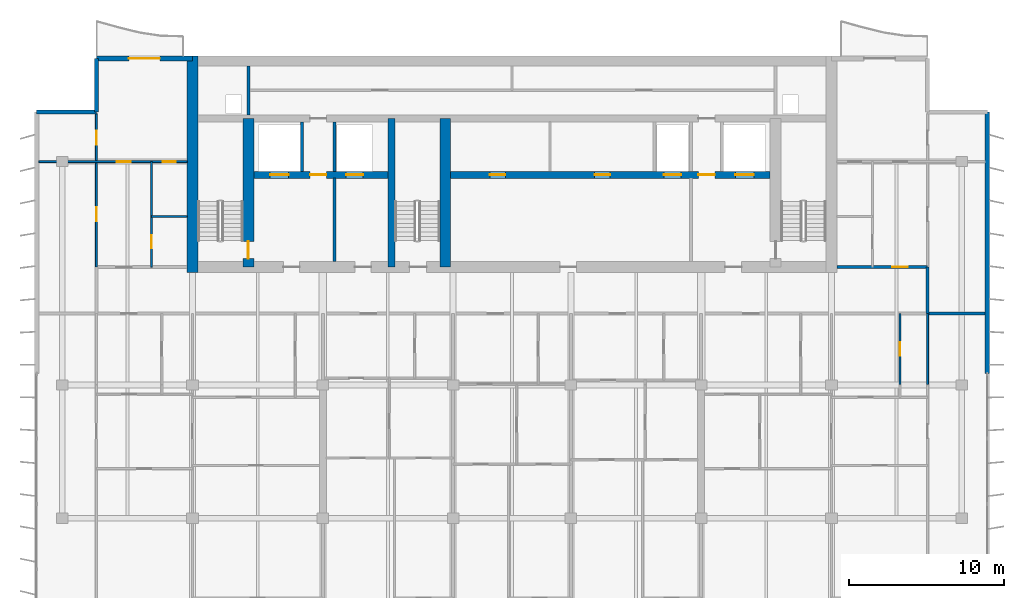
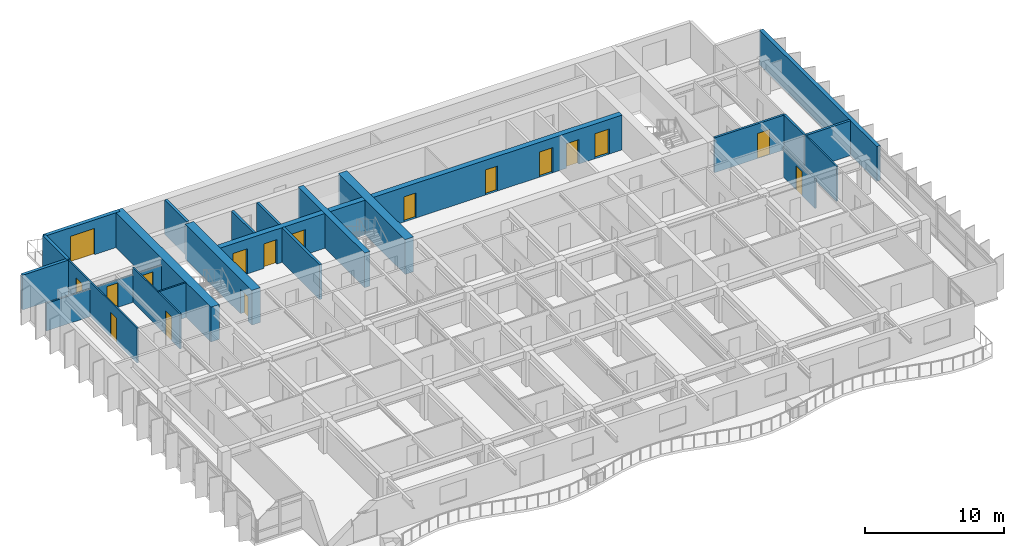
# One storey, part 9 of 16: 22 walls, 17 doors, 17 openings.
"""IFC4 building model written with IfcOpenShell, lengths in metres."""

from ifc_helpers import new_model, si_unit, direction, frame, frame_2d, origin, place, context, subcontext, project, spatial, rectangle, extrude, material, layer, layer_set, type_object, element, fill, save


model = new_model("IFC4")

# Units and contexts
model_context = context("Model", 3, precision=1e-05, world=origin(), true_north=direction((0.0, 1.0)))
body_context = subcontext(model_context, "Body", "Model", "MODEL_VIEW")
ifc_project = project(units=[si_unit("LENGTHUNIT", "METRE"), si_unit("AREAUNIT", "SQUARE_METRE"), si_unit("VOLUMEUNIT", "CUBIC_METRE"), si_unit("PLANEANGLEUNIT", "RADIAN"), si_unit("MASSUNIT", "GRAM", prefix="KILO")], contexts=[model_context])

# Site, building, storey
site_placement = place(None, origin())
site = spatial("IfcSite", under=ifc_project, at=site_placement, CompositionType="ELEMENT")
building_placement = place(site_placement, origin())
building = spatial("IfcBuilding", under=site, at=building_placement, Name="Caelmar Bay Residences", CompositionType="ELEMENT")
storey_placement = place(building_placement, frame((0.0, 0.0, 239.699951171875)))
storey = spatial("IfcBuildingStorey", under=building, at=storey_placement, Name="L67", CompositionType="ELEMENT", Elevation=239.699951171875)

# Wall
ifc_material_1 = material(Name="Concrete f'c 55 MPa (8,000 psi)", Category="concrete")
ifc_layer_1 = layer(ifc_material_1, 0.699951171875)
ifc_layer_set_1 = layer_set([ifc_layer_1], Name="Concrete f'c 55 MPa (8,000 psi)")
wall_type_1 = type_object("IfcWallType", Name="SW-COR-700", PredefinedType="SHEAR", material=ifc_layer_set_1)
wall_1_placement = place(storey_placement, frame((18.300048828125, 36.64990234375, 0.0), z_axis=(0.0, 0.0, 1.0), x_axis=(0.0, 1.0, 0.0)))
element("IfcWall", 1, at=wall_1_placement, inside=storey, type_object=wall_type_1, Name="L67 Rear Core West Shear Wall", PredefinedType="SHEAR", context=body_context, shape_type="SweptSolid", body=[
    extrude(rectangle(XDim=13.9501953125, YDim=0.699951171875, at=frame_2d((6.97509765625, 0.0))), origin(), (0.0, 0.0, 1.0), 3.050048828125),
])

# Wall, opening, door
wall_2_placement = place(storey_placement, frame((21.89990234375, 37.0, 0.0), z_axis=(0.0, 0.0, 1.0), x_axis=(0.0, 1.0, 0.0)))
wall_2 = element("IfcWall", 2, at=wall_2_placement, inside=storey, type_object=wall_type_1, Name="L67 Core Structural Web Wall ST1E", PredefinedType="SHEAR", context=body_context, shape_type="SweptSolid", body=[
    extrude(rectangle(XDim=9.574951171875, YDim=0.699951171875, at=frame_2d((4.78759765625, 0.0))), origin(), (0.0, 0.0, 1.0), 3.050048828125),
])
opening_1_placement = place(wall_2_placement, frame((0.550048828125, 0.0, 0.0)))
opening_1 = element("IfcOpeningElement", 3, at=opening_1_placement, cuts=wall_2, Name="Opening D-L67-107", PredefinedType="OPENING", context=body_context, shape_type="SweptSolid", body=[
    extrude(rectangle(XDim=1.10009765625, YDim=2.14990234375, at=frame_2d((0.550048828125, 1.074951171875))), frame((0.0, 0.35986328125, 0.0), z_axis=(0.0, -1.0, 0.0), x_axis=(1.0, 0.0, 0.0)), (0.0, 0.0, 1.0), 0.719970703125),
])
ifc_material_2 = material(Name="Fire-rated steel and walnut architectural door assembly", Category="steel")
ifc_layer_2 = layer(ifc_material_2, 0.050048828125)
ifc_layer_set_2 = layer_set([ifc_layer_2], Name="Fire-rated steel and walnut architectural door assembly")
door_type_1 = type_object("IfcDoorType", Name="D-STAIR-1100", OperationType="NOTDEFINED", PredefinedType="DOOR", material=ifc_layer_set_2)
door_1_placement = place(opening_1_placement, origin())
door_1 = element("IfcDoor", 4, at=door_1_placement, inside=storey, type_object=door_type_1, Name="L67 Firefighting Lobby West Door", OperationType="SINGLE_SWING_RIGHT", OverallHeight=2.14990234375, OverallWidth=1.10009765625, PredefinedType="DOOR", context=body_context, shape_type="SweptSolid", body=[
    extrude(rectangle(XDim=1.10009765625, YDim=2.14990234375, at=frame_2d((0.550048828125, 1.074951171875))), frame((0.0, 0.02490234375, 0.0), z_axis=(0.0, -1.0, 0.0), x_axis=(1.0, 0.0, 0.0)), (0.0, 0.0, 1.0), 0.050048828125),
])
fill(opening_1, door_1)

# Walls
wall_3_placement = place(storey_placement, frame((34.60009765625, 37.0, 0.0), z_axis=(0.0, 0.0, 1.0), x_axis=(0.0, 1.0, 0.0)))
element("IfcWall", 5, at=wall_3_placement, inside=storey, type_object=wall_type_1, Name="L67 Core Structural Web Wall ST3E", PredefinedType="SHEAR", context=body_context, shape_type="SweptSolid", body=[
    extrude(rectangle(XDim=9.574951171875, YDim=0.699951171875, at=frame_2d((4.78759765625, 0.0))), origin(), (0.0, 0.0, 1.0), 3.050048828125),
])
ifc_material_3 = material(Name="Concrete f'c 70 MPa (10,000 psi)", Category="concrete")
ifc_layer_3 = layer(ifc_material_3, 0.449951171875)
ifc_layer_set_3 = layer_set([ifc_layer_3], Name="Concrete f'c 70 MPa (10,000 psi)")
wall_type_2 = type_object("IfcWallType", Name="SW-WEB-450", PredefinedType="SHEAR", material=ifc_layer_set_3)
wall_4_placement = place(storey_placement, frame((31.125, 37.0, 0.0), z_axis=(0.0, 0.0, 1.0), x_axis=(0.0, 1.0, 0.0)))
element("IfcWall", 6, at=wall_4_placement, inside=storey, type_object=wall_type_2, Name="L67 Core Structural Web Wall ST3W", PredefinedType="SHEAR", context=body_context, shape_type="SweptSolid", body=[
    extrude(rectangle(XDim=9.574951171875, YDim=0.449951171875, at=frame_2d((4.78759765625, 0.0))), origin(), (0.0, 0.0, 1.0), 3.050048828125),
])

# Wall, openings, doors
wall_5_placement = place(storey_placement, frame((22.25, 42.949951171875, 0.0), z_axis=(0.0, 0.0, 1.0), x_axis=(1.0, 0.0, 0.0)))
wall_5 = element("IfcWall", 7, at=wall_5_placement, inside=storey, type_object=wall_type_2, Name="L67 Core Structural Web Wall LFR", PredefinedType="SHEAR", context=body_context, shape_type="SweptSolid", body=[
    extrude(rectangle(XDim=33.300048828125, YDim=0.449951171875, at=frame_2d((16.64990234375, 0.0))), origin(), (0.0, 0.0, 1.0), 3.050048828125),
])
opening_2_placement = place(wall_5_placement, frame((1.050048828125, 0.0, 0.0)))
opening_2 = element("IfcOpeningElement", 8, at=opening_2_placement, cuts=wall_5, Name="Opening LD2", PredefinedType="OPENING", context=body_context, shape_type="SweptSolid", body=[
    extrude(rectangle(XDim=1.199951171875, YDim=2.199951171875, at=frame_2d((0.60009765625, 1.10009765625))), frame((0.0, 0.23486328125, 0.0), z_axis=(0.0, -1.0, 0.0), x_axis=(1.0, 0.0, 0.0)), (0.0, 0.0, 1.0), 0.469970703125),
])
opening_3_placement = place(wall_5_placement, frame((31.050048828125, 0.0, 0.0)))
opening_3 = element("IfcOpeningElement", 9, at=opening_3_placement, cuts=wall_5, Name="Opening LD2", PredefinedType="OPENING", context=body_context, shape_type="SweptSolid", body=[
    extrude(rectangle(XDim=1.199951171875, YDim=2.199951171875, at=frame_2d((0.60009765625, 1.10009765625))), frame((0.0, 0.23486328125, 0.0), z_axis=(0.0, -1.0, 0.0), x_axis=(1.0, 0.0, 0.0)), (0.0, 0.0, 1.0), 0.469970703125),
])
opening_4_placement = place(wall_5_placement, frame((26.449951171875, 0.0, 0.0)))
opening_4 = element("IfcOpeningElement", 10, at=opening_4_placement, cuts=wall_5, Name="Opening LD1", PredefinedType="OPENING", context=body_context, shape_type="SweptSolid", body=[
    extrude(rectangle(XDim=1.10009765625, YDim=2.199951171875, at=frame_2d((0.550048828125, 1.10009765625))), frame((0.0, 0.23486328125, 0.0), z_axis=(0.0, -1.0, 0.0), x_axis=(1.0, 0.0, 0.0)), (0.0, 0.0, 1.0), 0.469970703125),
])
opening_5_placement = place(wall_5_placement, frame((5.949951171875, 0.0, 0.0)))
opening_5 = element("IfcOpeningElement", 11, at=opening_5_placement, cuts=wall_5, Name="Opening LD1", PredefinedType="OPENING", context=body_context, shape_type="SweptSolid", body=[
    extrude(rectangle(XDim=1.10009765625, YDim=2.199951171875, at=frame_2d((0.550048828125, 1.10009765625))), frame((0.0, 0.23486328125, 0.0), z_axis=(0.0, -1.0, 0.0), x_axis=(1.0, 0.0, 0.0)), (0.0, 0.0, 1.0), 0.469970703125),
])
opening_6_placement = place(wall_5_placement, frame((3.625, 0.0, 0.0)))
opening_6 = element("IfcOpeningElement", 12, at=opening_6_placement, cuts=wall_5, Name="Opening D-L67-108", PredefinedType="OPENING", context=body_context, shape_type="SweptSolid", body=[
    extrude(rectangle(XDim=1.050048828125, YDim=2.14990234375, at=frame_2d((0.52490234375, 1.074951171875))), frame((0.0, 0.23486328125, 0.0), z_axis=(0.0, -1.0, 0.0), x_axis=(1.0, 0.0, 0.0)), (0.0, 0.0, 1.0), 0.469970703125),
])
opening_7_placement = place(wall_5_placement, frame((28.675048828125, 0.0, 0.0)))
opening_7 = element("IfcOpeningElement", 13, at=opening_7_placement, cuts=wall_5, Name="Opening D-L67-111", PredefinedType="OPENING", context=body_context, shape_type="SweptSolid", body=[
    extrude(rectangle(XDim=1.050048828125, YDim=2.14990234375, at=frame_2d((0.52490234375, 1.074951171875))), frame((0.0, 0.23486328125, 0.0), z_axis=(0.0, -1.0, 0.0), x_axis=(1.0, 0.0, 0.0)), (0.0, 0.0, 1.0), 0.469970703125),
])
opening_8_placement = place(wall_5_placement, frame((15.22509765625, 0.0, 0.0)))
opening_8 = element("IfcOpeningElement", 14, at=opening_8_placement, cuts=wall_5, Name="Opening D-L67-114", PredefinedType="OPENING", context=body_context, shape_type="SweptSolid", body=[
    extrude(rectangle(XDim=1.0, YDim=2.199951171875, at=frame_2d((0.5, 1.10009765625))), frame((0.0, 0.23486328125, 0.0), z_axis=(0.0, -1.0, 0.0), x_axis=(1.0, 0.0, 0.0)), (0.0, 0.0, 1.0), 0.469970703125),
])
opening_9_placement = place(wall_5_placement, frame((21.97509765625, 0.0, 0.0)))
opening_9 = element("IfcOpeningElement", 15, at=opening_9_placement, cuts=wall_5, Name="Opening D-L67-115", PredefinedType="OPENING", context=body_context, shape_type="SweptSolid", body=[
    extrude(rectangle(XDim=1.0, YDim=2.199951171875, at=frame_2d((0.5, 1.10009765625))), frame((0.0, 0.23486328125, 0.0), z_axis=(0.0, -1.0, 0.0), x_axis=(1.0, 0.0, 0.0)), (0.0, 0.0, 1.0), 0.469970703125),
])
ifc_layer_4 = layer(ifc_material_2, 0.050048828125)
ifc_layer_set_4 = layer_set([ifc_layer_4], Name="Fire-rated steel and walnut architectural door assembly")
door_type_2 = type_object("IfcDoorType", Name="D-FSAE-1050", OperationType="NOTDEFINED", PredefinedType="DOOR", material=ifc_layer_set_4)
door_2_placement = place(opening_6_placement, origin())
door_2 = element("IfcDoor", 16, at=door_2_placement, inside=storey, type_object=door_type_2, Name="L67 Firefighting Lobby West Door", OperationType="SINGLE_SWING_LEFT", OverallHeight=2.14990234375, OverallWidth=1.050048828125, PredefinedType="DOOR", context=body_context, shape_type="SweptSolid", body=[
    extrude(rectangle(XDim=1.050048828125, YDim=2.14990234375, at=frame_2d((0.52490234375, 1.074951171875))), frame((0.0, 0.02490234375, 0.0), z_axis=(0.0, -1.0, 0.0), x_axis=(1.0, 0.0, 0.0)), (0.0, 0.0, 1.0), 0.050048828125),
])
fill(opening_6, door_2)
door_3_placement = place(opening_7_placement, origin())
door_3 = element("IfcDoor", 17, at=door_3_placement, inside=storey, type_object=door_type_2, Name="L67 Firefighting Lobby East Door", OperationType="SINGLE_SWING_RIGHT", OverallHeight=2.14990234375, OverallWidth=1.050048828125, PredefinedType="DOOR", context=body_context, shape_type="SweptSolid", body=[
    extrude(rectangle(XDim=1.050048828125, YDim=2.14990234375, at=frame_2d((0.52490234375, 1.074951171875))), frame((0.0, 0.02490234375, 0.0), z_axis=(0.0, -1.0, 0.0), x_axis=(1.0, 0.0, 0.0)), (0.0, 0.0, 1.0), 0.050048828125),
])
fill(opening_7, door_3)
ifc_material_4 = material(Name="Brushed bronze stainless-steel fire-rated lift landing doors", Category="steel")
ifc_layer_5 = layer(ifc_material_4, 0.050048828125)
ifc_layer_set_5 = layer_set([ifc_layer_5], Name="Brushed bronze stainless-steel fire-rated lift landing doors")
door_type_3 = type_object("IfcDoorType", Name="D-LND-1100", OperationType="DOUBLE_DOOR_SLIDING", PredefinedType="DOOR", material=ifc_layer_set_5)
door_4_placement = place(opening_4_placement, origin())
door_4 = element("IfcDoor", 18, at=door_4_placement, inside=storey, type_object=door_type_3, Name="L67 LP6 Sliding Landing Door", OperationType="DOUBLE_DOOR_SLIDING", OverallHeight=2.199951171875, OverallWidth=1.10009765625, PredefinedType="DOOR", context=body_context, shape_type="SweptSolid", body=[
    extrude(rectangle(XDim=1.10009765625, YDim=2.199951171875, at=frame_2d((0.550048828125, 1.10009765625))), frame((0.0, 0.02490234375, 0.0), z_axis=(0.0, -1.0, 0.0), x_axis=(1.0, 0.0, 0.0)), (0.0, 0.0, 1.0), 0.050048828125),
])
fill(opening_4, door_4)
door_5_placement = place(opening_5_placement, origin())
door_5 = element("IfcDoor", 19, at=door_5_placement, inside=storey, type_object=door_type_3, Name="L67 LP7 Sliding Landing Door", OperationType="DOUBLE_DOOR_SLIDING", OverallHeight=2.199951171875, OverallWidth=1.10009765625, PredefinedType="DOOR", context=body_context, shape_type="SweptSolid", body=[
    extrude(rectangle(XDim=1.10009765625, YDim=2.199951171875, at=frame_2d((0.550048828125, 1.10009765625))), frame((0.0, 0.02490234375, 0.0), z_axis=(0.0, -1.0, 0.0), x_axis=(1.0, 0.0, 0.0)), (0.0, 0.0, 1.0), 0.050048828125),
])
fill(opening_5, door_5)
ifc_material_5 = material(Name="Brushed stainless-steel FSAE sliding landing door", Category="steel")
ifc_layer_6 = layer(ifc_material_5, 0.050048828125)
ifc_layer_set_6 = layer_set([ifc_layer_6], Name="Brushed stainless-steel FSAE sliding landing door")
door_type_4 = type_object("IfcDoorType", Name="D-LND-1200", OperationType="DOUBLE_DOOR_SLIDING", PredefinedType="DOOR", material=ifc_layer_set_6)
door_6_placement = place(opening_2_placement, origin())
door_6 = element("IfcDoor", 20, at=door_6_placement, inside=storey, type_object=door_type_4, Name="L67 LF1 Sliding Landing Door", OperationType="DOUBLE_DOOR_SLIDING", OverallHeight=2.199951171875, OverallWidth=1.199951171875, PredefinedType="DOOR", context=body_context, shape_type="SweptSolid", body=[
    extrude(rectangle(XDim=1.199951171875, YDim=2.199951171875, at=frame_2d((0.60009765625, 1.10009765625))), frame((0.0, 0.02490234375, 0.0), z_axis=(0.0, -1.0, 0.0), x_axis=(1.0, 0.0, 0.0)), (0.0, 0.0, 1.0), 0.050048828125),
])
fill(opening_2, door_6)
door_7_placement = place(opening_3_placement, origin())
door_7 = element("IfcDoor", 21, at=door_7_placement, inside=storey, type_object=door_type_4, Name="L67 LF2 Sliding Landing Door", OperationType="DOUBLE_DOOR_SLIDING", OverallHeight=2.199951171875, OverallWidth=1.199951171875, PredefinedType="DOOR", context=body_context, shape_type="SweptSolid", body=[
    extrude(rectangle(XDim=1.199951171875, YDim=2.199951171875, at=frame_2d((0.60009765625, 1.10009765625))), frame((0.0, 0.02490234375, 0.0), z_axis=(0.0, -1.0, 0.0), x_axis=(1.0, 0.0, 0.0)), (0.0, 0.0, 1.0), 0.050048828125),
])
fill(opening_3, door_7)
ifc_layer_7 = layer(ifc_material_2, 0.050048828125)
ifc_layer_set_7 = layer_set([ifc_layer_7], Name="Fire-rated steel and walnut architectural door assembly")
door_type_5 = type_object("IfcDoorType", Name="D-UNIT-1000", OperationType="NOTDEFINED", PredefinedType="DOOR", material=ifc_layer_set_7)
door_8_placement = place(opening_8_placement, origin())
door_8 = element("IfcDoor", 22, at=door_8_placement, inside=storey, type_object=door_type_5, Name="L67 Collector Study Door", OperationType="SINGLE_SWING_LEFT", OverallHeight=2.199951171875, OverallWidth=1.0, PredefinedType="DOOR", context=body_context, shape_type="SweptSolid", body=[
    extrude(rectangle(XDim=1.0, YDim=2.199951171875, at=frame_2d((0.5, 1.10009765625))), frame((0.0, 0.02490234375, 0.0), z_axis=(0.0, -1.0, 0.0), x_axis=(1.0, 0.0, 0.0)), (0.0, 0.0, 1.0), 0.050048828125),
])
fill(opening_8, door_8)
door_9_placement = place(opening_9_placement, origin())
door_9 = element("IfcDoor", 23, at=door_9_placement, inside=storey, type_object=door_type_5, Name="L67 Private Dining Room Door", OperationType="SINGLE_SWING_RIGHT", OverallHeight=2.199951171875, OverallWidth=1.0, PredefinedType="DOOR", context=body_context, shape_type="SweptSolid", body=[
    extrude(rectangle(XDim=1.0, YDim=2.199951171875, at=frame_2d((0.5, 1.10009765625))), frame((0.0, 0.02490234375, 0.0), z_axis=(0.0, -1.0, 0.0), x_axis=(1.0, 0.0, 0.0)), (0.0, 0.0, 1.0), 0.050048828125),
])
fill(opening_9, door_9)

# Wall
ifc_material_6 = material(Name="Double-stud acoustic fire-rated gypsum partition 180 mm")
ifc_layer_8 = layer(ifc_material_6, 0.179931640625)
ifc_layer_set_8 = layer_set([ifc_layer_8], Name="Double-stud acoustic fire-rated gypsum partition 180 mm")
wall_type_3 = type_object("IfcWallType", Name="W-COR-200", PredefinedType="PARTITIONING", material=ifc_layer_set_8)
wall_6_placement = place(storey_placement, frame((65.699951171875, 34.0048828125, 0.0), z_axis=(0.0, 0.0, 1.0), x_axis=(0.0, 1.0, 0.0)))
element("IfcWall", 24, at=wall_6_placement, inside=storey, type_object=wall_type_3, Name="L67 Partition Wall V061", PredefinedType="PARTITIONING", context=body_context, shape_type="SweptSolid", body=[
    extrude(rectangle(XDim=2.9951171875, YDim=0.179931640625, at=frame_2d((1.49755859375, 0.0))), origin(), (0.0, 0.0, 1.0), 3.050048828125),
])

# Wall, opening, door
wall_7_placement = place(storey_placement, frame((59.85498046875, 37.0, 0.0), z_axis=(0.0, 0.0, 1.0), x_axis=(1.0, 0.0, 0.0)))
wall_7 = element("IfcWall", 25, at=wall_7_placement, inside=storey, type_object=wall_type_3, Name="L67 Partition Wall H086", PredefinedType="PARTITIONING", context=body_context, shape_type="SweptSolid", body=[
    extrude(rectangle(XDim=5.844970703125, YDim=0.179931640625, at=frame_2d((2.92236328125, 0.0))), origin(), (0.0, 0.0, 1.0), 3.050048828125),
])
opening_10_placement = place(wall_7_placement, frame((3.570068359375, 0.0, 0.0)))
opening_10 = element("IfcOpeningElement", 26, at=opening_10_placement, cuts=wall_7, Name="Opening D-L67-168", PredefinedType="OPENING", context=body_context, shape_type="SweptSolid", body=[
    extrude(rectangle(XDim=1.0, YDim=2.199951171875, at=frame_2d((0.5, 1.10009765625))), frame((0.0, 0.099853515625, 0.0), z_axis=(0.0, -1.0, 0.0), x_axis=(1.0, 0.0, 0.0)), (0.0, 0.0, 1.0), 0.199951171875),
])
door_10_placement = place(opening_10_placement, origin())
door_10 = element("IfcDoor", 27, at=door_10_placement, inside=storey, type_object=door_type_5, Name="L67 Residence EA Kitchen Door", OperationType="SINGLE_SWING_LEFT", OverallHeight=2.199951171875, OverallWidth=1.0, PredefinedType="DOOR", context=body_context, shape_type="SweptSolid", body=[
    extrude(rectangle(XDim=1.0, YDim=2.199951171875, at=frame_2d((0.5, 1.10009765625))), frame((0.0, 0.02490234375, 0.0), z_axis=(0.0, -1.0, 0.0), x_axis=(1.0, 0.0, 0.0)), (0.0, 0.0, 1.0), 0.050048828125),
])
fill(opening_10, door_10)

# Walls
ifc_material_7 = material(Name="Precast concrete f'c 40 MPa (6,000 psi)", Category="concrete")
ifc_layer_9 = layer(ifc_material_7, 0.25)
ifc_layer_set_9 = layer_set([ifc_layer_9], Name="Precast concrete f'c 40 MPa (6,000 psi)")
wall_type_4 = type_object("IfcWallType", Name="W-EXT-250", PredefinedType="ELEMENTEDWALL", material=ifc_layer_set_9)
wall_8_placement = place(storey_placement, frame((8.25, 47.0, 0.0), z_axis=(0.0, 0.0, 1.0), x_axis=(1.0, 0.0, 0.0)))
element("IfcWall", 28, at=wall_8_placement, inside=storey, type_object=wall_type_4, Name="L67 NNW-H Notch Wall", PredefinedType="ELEMENTEDWALL", context=body_context, shape_type="SweptSolid", body=[
    extrude(rectangle(XDim=3.85009765625, YDim=0.25, at=frame_2d((1.925048828125, 0.0))), origin(), (0.0, 0.0, 1.0), 3.050048828125),
])
wall_9_placement = place(storey_placement, frame((12.10009765625, 47.0, 0.0), z_axis=(0.0, 0.0, 1.0), x_axis=(0.0, 1.0, 0.0)))
element("IfcWall", 29, at=wall_9_placement, inside=storey, type_object=wall_type_4, Name="L67 NNW-V Notch Wall", PredefinedType="ELEMENTEDWALL", context=body_context, shape_type="SweptSolid", body=[
    extrude(rectangle(XDim=3.449951171875, YDim=0.25, at=frame_2d((1.72509765625, 0.0))), origin(), (0.0, 0.0, 1.0), 3.050048828125),
])
ifc_layer_10 = layer(ifc_material_7, 0.300048828125)
ifc_layer_set_10 = layer_set([ifc_layer_10], Name="Precast concrete f'c 40 MPa (6,000 psi)")
wall_type_5 = type_object("IfcWallType", Name="W-EXT-300", PredefinedType="STANDARD", material=ifc_layer_set_10)
wall_10_placement = place(storey_placement, frame((69.550048828125, 47.0, 0.0), z_axis=(0.0, 0.0, 1.0), x_axis=(0.0, -1.0, 0.0)))
element("IfcWall", 30, at=wall_10_placement, inside=storey, type_object=wall_type_5, Name="L67 East Rear Exterior Wall", PredefinedType="STANDARD", context=body_context, shape_type="SweptSolid", body=[
    extrude(rectangle(XDim=16.85009765625, YDim=0.300048828125, at=frame_2d((8.425048828125, 0.0))), origin(), (0.0, 0.0, 1.0), 3.050048828125),
])

# Wall, opening, door
wall_11_placement = place(storey_placement, frame((12.10009765625, 50.449951171875, 0.0), z_axis=(0.0, 0.0, 1.0), x_axis=(1.0, 0.0, 0.0)))
wall_11 = element("IfcWall", 31, at=wall_11_placement, inside=storey, type_object=wall_type_5, Name="L67 North-West Wing Exterior Wall", PredefinedType="STANDARD", context=body_context, shape_type="SweptSolid", body=[
    extrude(rectangle(XDim=6.199951171875, YDim=0.300048828125, at=frame_2d((3.10009765625, 0.0))), origin(), (0.0, 0.0, 1.0), 3.050048828125),
])
opening_11_placement = place(wall_11_placement, frame((2.10009765625, 0.0, 0.0)))
opening_11 = element("IfcOpeningElement", 32, at=opening_11_placement, cuts=wall_11, Name="Opening L67-BDNW", PredefinedType="OPENING", context=body_context, shape_type="SweptSolid", body=[
    extrude(rectangle(XDim=2.0, YDim=2.300048828125, at=frame_2d((1.0, 1.14990234375))), frame((0.0, 0.159912109375, 0.0), z_axis=(0.0, -1.0, 0.0), x_axis=(1.0, 0.0, 0.0)), (0.0, 0.0, 1.0), 0.320068359375),
])
ifc_material_8 = material(Name="Anodised bronze thermally broken sliding glass door", Category="glass")
ifc_layer_11 = layer(ifc_material_8, 0.050048828125)
ifc_layer_set_11 = layer_set([ifc_layer_11], Name="Anodised bronze thermally broken sliding glass door")
door_type_6 = type_object("IfcDoorType", Name="D-BAL-2000", OperationType="DOUBLE_DOOR_SLIDING", PredefinedType="DOOR", material=ifc_layer_set_11)
door_11_placement = place(opening_11_placement, origin())
door_11 = element("IfcDoor", 33, at=door_11_placement, inside=storey, type_object=door_type_6, Name="L67 North-West Balcony Door", OperationType="DOUBLE_DOOR_SLIDING", OverallHeight=2.300048828125, OverallWidth=2.0, PredefinedType="DOOR", context=body_context, shape_type="SweptSolid", body=[
    extrude(rectangle(XDim=2.0, YDim=2.300048828125, at=frame_2d((1.0, 1.14990234375))), frame((0.0, 0.02490234375, 0.0), z_axis=(0.0, -1.0, 0.0), x_axis=(1.0, 0.0, 0.0)), (0.0, 0.0, 1.0), 0.050048828125),
])
fill(opening_11, door_11)

# Walls
ifc_material_9 = material(Name="Fire-rated masonry and gypsum shaftliner assembly 200 mm", Category="masonry")
ifc_layer_12 = layer(ifc_material_9, 0.199951171875)
ifc_layer_set_12 = layer_set([ifc_layer_12], Name="Fire-rated masonry and gypsum shaftliner assembly 200 mm")
wall_type_6 = type_object("IfcWallType", Name="W-FSAE-200", PredefinedType="PARTITIONING", material=ifc_layer_set_12)
wall_12_placement = place(storey_placement, frame((21.89990234375, 46.794921875, 0.0), z_axis=(0.0, 0.0, 1.0), x_axis=(0.0, 1.0, 0.0)))
element("IfcWall", 34, at=wall_12_placement, inside=storey, type_object=wall_type_6, Name="L67 Partition Wall V011", PredefinedType="PARTITIONING", context=body_context, shape_type="SweptSolid", body=[
    extrude(rectangle(XDim=3.16015625, YDim=0.199951171875, at=frame_2d((1.580078125, 0.0))), origin(), (0.0, 0.0, 1.0), 3.050048828125),
])
wall_13_placement = place(storey_placement, frame((25.35009765625, 43.169921875, 0.0), z_axis=(0.0, 0.0, 1.0), x_axis=(0.0, 1.0, 0.0)))
element("IfcWall", 35, at=wall_13_placement, inside=storey, type_object=wall_type_6, Name="L67 Partition Wall V014", PredefinedType="PARTITIONING", context=body_context, shape_type="SweptSolid", body=[
    extrude(rectangle(XDim=3.18505859375, YDim=0.199951171875, at=frame_2d((1.592529296875, 0.0))), origin(), (0.0, 0.0, 1.0), 3.050048828125),
])
wall_14_placement = place(storey_placement, frame((27.449951171875, 37.344970703125, 0.0), z_axis=(0.0, 0.0, 1.0), x_axis=(0.0, 1.0, 0.0)))
element("IfcWall", 36, at=wall_14_placement, inside=storey, type_object=wall_type_6, Name="L67 Partition Wall V018", PredefinedType="PARTITIONING", context=body_context, shape_type="SweptSolid", body=[
    extrude(rectangle(XDim=5.385009765625, YDim=0.199951171875, at=frame_2d((2.6923828125, 0.0))), origin(), (0.0, 0.0, 1.0), 3.050048828125),
])
wall_15_placement = place(storey_placement, frame((27.449951171875, 43.169921875, 0.0), z_axis=(0.0, 0.0, 1.0), x_axis=(0.0, 1.0, 0.0)))
element("IfcWall", 37, at=wall_15_placement, inside=storey, type_object=wall_type_6, Name="L67 Partition Wall V019", PredefinedType="PARTITIONING", context=body_context, shape_type="SweptSolid", body=[
    extrude(rectangle(XDim=3.18505859375, YDim=0.199951171875, at=frame_2d((1.592529296875, 0.0))), origin(), (0.0, 0.0, 1.0), 3.050048828125),
])

# Wall, openings, doors
ifc_material_10 = material(Name="Acoustic metal-stud gypsum partition 120 mm")
ifc_layer_13 = layer(ifc_material_10, 0.1201171875)
ifc_layer_set_13 = layer_set([ifc_layer_13], Name="Acoustic metal-stud gypsum partition 120 mm")
wall_type_7 = type_object("IfcWallType", Name="W-PRT-120", PredefinedType="PARTITIONING", material=ifc_layer_set_13)
wall_16_placement = place(storey_placement, frame((12.10009765625, 37.0048828125, 0.0), z_axis=(0.0, 0.0, 1.0), x_axis=(0.0, 1.0, 0.0)))
wall_16 = element("IfcWall", 38, at=wall_16_placement, inside=storey, type_object=wall_type_7, Name="L67 Partition Wall V004", PredefinedType="PARTITIONING", context=body_context, shape_type="SweptSolid", body=[
    extrude(rectangle(XDim=9.875, YDim=0.1201171875, at=frame_2d((4.9375, 0.0))), origin(), (0.0, 0.0, 1.0), 3.050048828125),
])
opening_12_placement = place(wall_16_placement, frame((2.947509765625, 0.0, 0.0)))
opening_12 = element("IfcOpeningElement", 39, at=opening_12_placement, cuts=wall_16, Name="Opening D-L67-166", PredefinedType="OPENING", context=body_context, shape_type="SweptSolid", body=[
    extrude(rectangle(XDim=0.89990234375, YDim=2.14990234375, at=frame_2d((0.449951171875, 1.074951171875))), frame((0.0, 0.070068359375, 0.0), z_axis=(0.0, -1.0, 0.0), x_axis=(1.0, 0.0, 0.0)), (0.0, 0.0, 1.0), 0.14013671875),
])
opening_13_placement = place(wall_16_placement, frame((7.885009765625, 0.0, 0.0)))
opening_13 = element("IfcOpeningElement", 40, at=opening_13_placement, cuts=wall_16, Name="Opening D-L67-167", PredefinedType="OPENING", context=body_context, shape_type="SweptSolid", body=[
    extrude(rectangle(XDim=0.89990234375, YDim=2.14990234375, at=frame_2d((0.449951171875, 1.074951171875))), frame((0.0, 0.070068359375, 0.0), z_axis=(0.0, -1.0, 0.0), x_axis=(1.0, 0.0, 0.0)), (0.0, 0.0, 1.0), 0.14013671875),
])
ifc_material_11 = material(Name="Solid walnut timber interior door leaf and frame", Category="wood")
ifc_layer_14 = layer(ifc_material_11, 0.050048828125)
ifc_layer_set_14 = layer_set([ifc_layer_14], Name="Solid walnut timber interior door leaf and frame")
door_type_7 = type_object("IfcDoorType", Name="D-ROOM-900", OperationType="NOTDEFINED", PredefinedType="DOOR", material=ifc_layer_set_14)
door_12_placement = place(opening_12_placement, origin())
door_12 = element("IfcDoor", 41, at=door_12_placement, inside=storey, type_object=door_type_7, Name="L67 Residence WA Sun Study Door", OperationType="SINGLE_SWING_LEFT", OverallHeight=2.14990234375, OverallWidth=0.89990234375, PredefinedType="DOOR", context=body_context, shape_type="SweptSolid", body=[
    extrude(rectangle(XDim=0.89990234375, YDim=2.14990234375, at=frame_2d((0.449951171875, 1.074951171875))), frame((0.0, 0.02490234375, 0.0), z_axis=(0.0, -1.0, 0.0), x_axis=(1.0, 0.0, 0.0)), (0.0, 0.0, 1.0), 0.050048828125),
])
fill(opening_12, door_12)
door_13_placement = place(opening_13_placement, origin())
door_13 = element("IfcDoor", 42, at=door_13_placement, inside=storey, type_object=door_type_7, Name="L67 Residence WA North Sitting Alcove Door", OperationType="SINGLE_SWING_RIGHT", OverallHeight=2.14990234375, OverallWidth=0.89990234375, PredefinedType="DOOR", context=body_context, shape_type="SweptSolid", body=[
    extrude(rectangle(XDim=0.89990234375, YDim=2.14990234375, at=frame_2d((0.449951171875, 1.074951171875))), frame((0.0, 0.02490234375, 0.0), z_axis=(0.0, -1.0, 0.0), x_axis=(1.0, 0.0, 0.0)), (0.0, 0.0, 1.0), 0.050048828125),
])
fill(opening_13, door_13)

# Wall, opening, door
wall_17_placement = place(storey_placement, frame((15.64990234375, 37.0, 0.0), z_axis=(0.0, 0.0, 1.0), x_axis=(0.0, 1.0, 0.0)))
wall_17 = element("IfcWall", 43, at=wall_17_placement, inside=storey, type_object=wall_type_7, Name="L67 Partition Wall V005", PredefinedType="PARTITIONING", context=body_context, shape_type="SweptSolid", body=[
    extrude(rectangle(XDim=6.800048828125, YDim=0.1201171875, at=frame_2d((3.39990234375, 0.0))), origin(), (0.0, 0.0, 1.0), 3.050048828125),
])
opening_14_placement = place(wall_17_placement, frame((1.20703125, 0.0, 0.0)))
opening_14 = element("IfcOpeningElement", 44, at=opening_14_placement, cuts=wall_17, Name="Opening D-L67-164", PredefinedType="OPENING", context=body_context, shape_type="SweptSolid", body=[
    extrude(rectangle(XDim=0.85009765625, YDim=2.10009765625, at=frame_2d((0.425048828125, 1.050048828125))), frame((0.0, 0.070068359375, 0.0), z_axis=(0.0, -1.0, 0.0), x_axis=(1.0, 0.0, 0.0)), (0.0, 0.0, 1.0), 0.14013671875),
])
ifc_layer_15 = layer(ifc_material_11, 0.050048828125)
ifc_layer_set_15 = layer_set([ifc_layer_15], Name="Solid walnut timber interior door leaf and frame")
door_type_8 = type_object("IfcDoorType", Name="D-BATH-850", OperationType="NOTDEFINED", PredefinedType="DOOR", material=ifc_layer_set_15)
door_14_placement = place(opening_14_placement, origin())
door_14 = element("IfcDoor", 45, at=door_14_placement, inside=storey, type_object=door_type_8, Name="L67 Residence WA Walk-In Closet Door", OperationType="SINGLE_SWING_LEFT", OverallHeight=2.10009765625, OverallWidth=0.85009765625, PredefinedType="DOOR", context=body_context, shape_type="SweptSolid", body=[
    extrude(rectangle(XDim=0.85009765625, YDim=2.10009765625, at=frame_2d((0.425048828125, 1.050048828125))), frame((0.0, 0.02490234375, 0.0), z_axis=(0.0, -1.0, 0.0), x_axis=(1.0, 0.0, 0.0)), (0.0, 0.0, 1.0), 0.050048828125),
])
fill(opening_14, door_14)

wall_18_placement = place(storey_placement, frame((63.922119140625, 29.43994140625, 0.0), z_axis=(0.0, 0.0, 1.0), x_axis=(0.0, 1.0, 0.0)))
wall_18 = element("IfcWall", 46, at=wall_18_placement, inside=storey, type_object=wall_type_7, Name="L67 Partition Wall V058", PredefinedType="PARTITIONING", context=body_context, shape_type="SweptSolid", body=[
    extrude(rectangle(XDim=4.56005859375, YDim=0.1201171875, at=frame_2d((2.280029296875, 0.0))), origin(), (0.0, 0.0, 1.0), 2.629150390625),
])
opening_15_placement = place(wall_18_placement, frame((1.85498046875, 0.0, 0.0)))
opening_15 = element("IfcOpeningElement", 47, at=opening_15_placement, cuts=wall_18, Name="Opening D-L67-157", PredefinedType="OPENING", context=body_context, shape_type="SweptSolid", body=[
    extrude(rectangle(XDim=0.85009765625, YDim=2.10009765625, at=frame_2d((0.425048828125, 1.050048828125))), frame((0.0, 0.070068359375, 0.0), z_axis=(0.0, -1.0, 0.0), x_axis=(1.0, 0.0, 0.0)), (0.0, 0.0, 1.0), 0.14013671875),
])
door_15_placement = place(opening_15_placement, origin())
door_15 = element("IfcDoor", 48, at=door_15_placement, inside=storey, type_object=door_type_8, Name="L67 Residence 05 En-Suite Bathroom 1 Door", OperationType="SINGLE_SWING_RIGHT", OverallHeight=2.10009765625, OverallWidth=0.85009765625, PredefinedType="DOOR", context=body_context, shape_type="SweptSolid", body=[
    extrude(rectangle(XDim=0.85009765625, YDim=2.10009765625, at=frame_2d((0.425048828125, 1.050048828125))), frame((0.0, 0.02490234375, 0.0), z_axis=(0.0, -1.0, 0.0), x_axis=(1.0, 0.0, 0.0)), (0.0, 0.0, 1.0), 0.050048828125),
])
fill(opening_15, door_15)

# Walls
wall_19_placement = place(storey_placement, frame((65.699951171875, 29.43994140625, 0.0), z_axis=(0.0, 0.0, 1.0), x_axis=(0.0, 1.0, 0.0)))
element("IfcWall", 49, at=wall_19_placement, inside=storey, type_object=wall_type_7, Name="L67 Partition Wall V060", PredefinedType="PARTITIONING", context=body_context, shape_type="SweptSolid", body=[
    extrude(rectangle(XDim=4.56005859375, YDim=0.1201171875, at=frame_2d((2.280029296875, 0.0))), origin(), (0.0, 0.0, 1.0), 3.050048828125),
])
wall_20_placement = place(storey_placement, frame((15.64990234375, 40.263916015625, 0.0), z_axis=(0.0, 0.0, 1.0), x_axis=(1.0, 0.0, 0.0)))
element("IfcWall", 50, at=wall_20_placement, inside=storey, type_object=wall_type_7, Name="L67 Partition Wall H087", PredefinedType="PARTITIONING", context=body_context, shape_type="SweptSolid", body=[
    extrude(rectangle(XDim=2.30517578125, YDim=0.1201171875, at=frame_2d((1.152587890625, 0.0))), origin(), (0.0, 0.0, 1.0), 3.050048828125),
])

# Wall, openings, doors
wall_21_placement = place(storey_placement, frame((8.39501953125, 43.800048828125, 0.0), z_axis=(0.0, 0.0, 1.0), x_axis=(1.0, 0.0, 0.0)))
wall_21 = element("IfcWall", 51, at=wall_21_placement, inside=storey, type_object=wall_type_7, Name="L67 Partition Wall H089", PredefinedType="PARTITIONING", context=body_context, shape_type="SweptSolid", body=[
    extrude(rectangle(XDim=9.56005859375, YDim=0.1201171875, at=frame_2d((4.780029296875, 0.0))), origin(), (0.0, 0.0, 1.0), 2.41796875),
])
opening_16_placement = place(wall_21_placement, frame((5.030029296875, 0.0, 0.0)))
opening_16 = element("IfcOpeningElement", 52, at=opening_16_placement, cuts=wall_21, Name="Opening D-L67-163", PredefinedType="OPENING", context=body_context, shape_type="SweptSolid", body=[
    extrude(rectangle(XDim=0.89990234375, YDim=2.14990234375, at=frame_2d((0.449951171875, 1.074951171875))), frame((0.0, 0.070068359375, 0.0), z_axis=(0.0, -1.0, 0.0), x_axis=(1.0, 0.0, 0.0)), (0.0, 0.0, 1.0), 0.14013671875),
])
opening_17_placement = place(wall_21_placement, frame((7.982421875, 0.0, 0.0)))
opening_17 = element("IfcOpeningElement", 53, at=opening_17_placement, cuts=wall_21, Name="Opening D-L67-165", PredefinedType="OPENING", context=body_context, shape_type="SweptSolid", body=[
    extrude(rectangle(XDim=0.85009765625, YDim=2.10009765625, at=frame_2d((0.425048828125, 1.050048828125))), frame((0.0, 0.070068359375, 0.0), z_axis=(0.0, -1.0, 0.0), x_axis=(1.0, 0.0, 0.0)), (0.0, 0.0, 1.0), 0.14013671875),
])
door_16_placement = place(opening_17_placement, origin())
door_16 = element("IfcDoor", 54, at=door_16_placement, inside=storey, type_object=door_type_8, Name="L67 Residence WA Bathroom Door", OperationType="SINGLE_SWING_RIGHT", OverallHeight=2.10009765625, OverallWidth=0.85009765625, PredefinedType="DOOR", context=body_context, shape_type="SweptSolid", body=[
    extrude(rectangle(XDim=0.85009765625, YDim=2.10009765625, at=frame_2d((0.425048828125, 1.050048828125))), frame((0.0, 0.02490234375, 0.0), z_axis=(0.0, -1.0, 0.0), x_axis=(1.0, 0.0, 0.0)), (0.0, 0.0, 1.0), 0.050048828125),
])
fill(opening_17, door_16)
door_17_placement = place(opening_16_placement, origin())
door_17 = element("IfcDoor", 55, at=door_17_placement, inside=storey, type_object=door_type_7, Name="L67 Residence WA Studio Living and Sleeping Room Door", OperationType="SINGLE_SWING_RIGHT", OverallHeight=2.14990234375, OverallWidth=0.89990234375, PredefinedType="DOOR", context=body_context, shape_type="SweptSolid", body=[
    extrude(rectangle(XDim=0.89990234375, YDim=2.14990234375, at=frame_2d((0.449951171875, 1.074951171875))), frame((0.0, 0.02490234375, 0.0), z_axis=(0.0, -1.0, 0.0), x_axis=(1.0, 0.0, 0.0)), (0.0, 0.0, 1.0), 0.050048828125),
])
fill(opening_16, door_17)

# Wall
ifc_material_12 = material(Name="Acoustic twin-stud fire-rated inter-tenancy partition 200 mm")
ifc_layer_16 = layer(ifc_material_12, 0.199951171875)
ifc_layer_set_16 = layer_set([ifc_layer_16], Name="Acoustic twin-stud fire-rated inter-tenancy partition 200 mm")
wall_type_8 = type_object("IfcWallType", Name="W-PTY-200", PredefinedType="PARTITIONING", material=ifc_layer_set_16)
wall_22_placement = place(storey_placement, frame((65.705078125, 34.0, 0.0), z_axis=(0.0, 0.0, 1.0), x_axis=(1.0, 0.0, 0.0)))
element("IfcWall", 56, at=wall_22_placement, inside=storey, type_object=wall_type_8, Name="L67 Partition Wall H084", PredefinedType="PARTITIONING", context=body_context, shape_type="SweptSolid", body=[
    extrude(rectangle(XDim=3.699951171875, YDim=0.199951171875, at=frame_2d((1.85009765625, 0.0))), origin(), (0.0, 0.0, 1.0), 3.050048828125),
])

save(model, "model.ifc")
